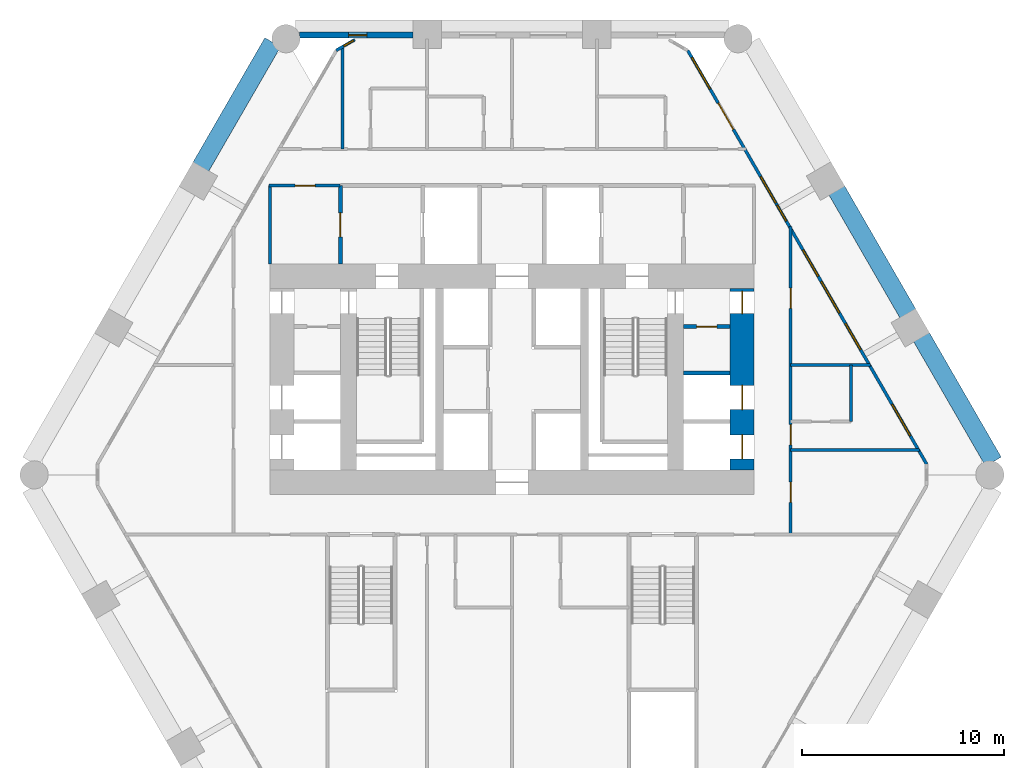
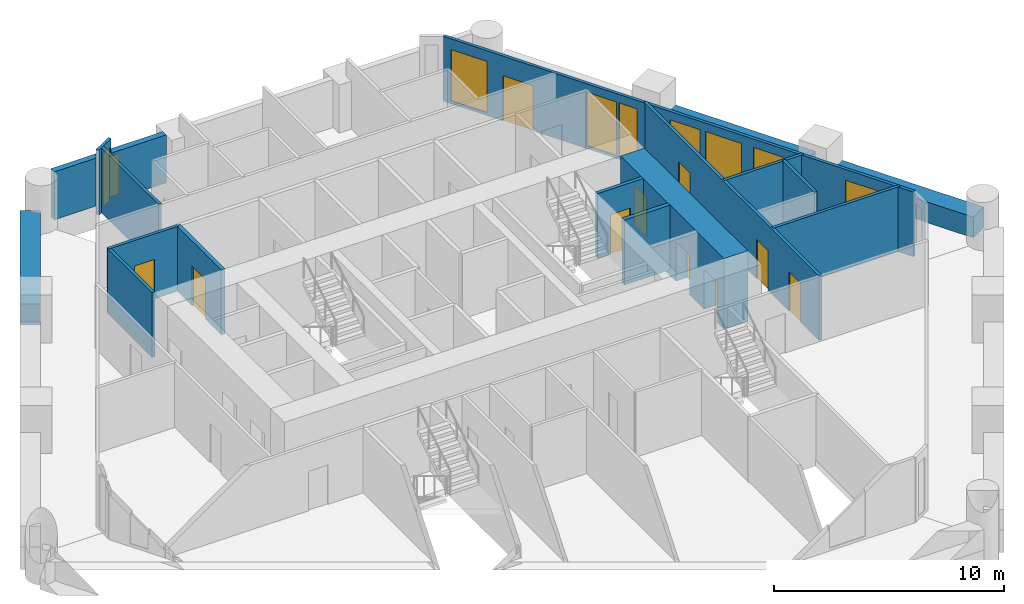
# One storey, part 5 of 8: 17 walls, 10 doors, 9 windows, 19 openings.
"""IFC4 building model written with IfcOpenShell, lengths in metres."""

from ifc_helpers import new_model, si_unit, direction, frame, frame_2d, origin, place, context, subcontext, project, spatial, rectangle, extrude, material, layer, layer_set, type_object, element, fill, save


model = new_model("IFC4")

# Units and contexts
model_context = context("Model", 3, precision=1e-05, world=origin(), true_north=direction((0.0, 1.0)))
body_context = subcontext(model_context, "Body", "Model", "MODEL_VIEW")
ifc_project = project(units=[si_unit("LENGTHUNIT", "METRE"), si_unit("AREAUNIT", "SQUARE_METRE"), si_unit("VOLUMEUNIT", "CUBIC_METRE"), si_unit("PLANEANGLEUNIT", "RADIAN"), si_unit("MASSUNIT", "GRAM", prefix="KILO")], contexts=[model_context])

# Site, building, storey
site_placement = place(None, origin())
site = spatial("IfcSite", under=ifc_project, at=site_placement, CompositionType="ELEMENT")
building_placement = place(site_placement, origin())
building = spatial("IfcBuilding", under=site, at=building_placement, Name="Ostrander Bayou Hotel Tower", CompositionType="ELEMENT")
storey_placement = place(building_placement, frame((0.0, 0.0, 61.75)))
storey = spatial("IfcBuildingStorey", under=building, at=storey_placement, Name="L15", CompositionType="ELEMENT", Elevation=61.75)

# Wall, openings, doors
ifc_material_1 = material(Name="Concrete f'c 70 MPa", Category="concrete")
ifc_layer_1 = layer(ifc_material_1, 1.199951171875)
ifc_layer_set_1 = layer_set([ifc_layer_1], Name="CW1 core wall 1200 mm f'c 70 MPa")
wall_type_1 = type_object("IfcWallType", Name="CW1 core wall 1200 mm f'c 70 MPa", PredefinedType="SHEAR", material=ifc_layer_set_1)
wall_1_placement = place(storey_placement, frame((11.39990234375, -0.5, -0.300048828125), z_axis=(0.0, 0.0, 1.0), x_axis=(0.0, 1.0, 0.0)))
wall_1 = element("IfcWall", 1, at=wall_1_placement, inside=storey, type_object=wall_type_1, Name="CW1 L15 RE", PredefinedType="SHEAR", context=body_context, shape_type="SweptSolid", body=[
    extrude(rectangle(XDim=9.0, YDim=1.199951171875, at=frame_2d((4.5, 0.0))), origin(), (0.0, 0.0, 1.0), 3.75),
])
opening_1_placement = place(wall_1_placement, frame((7.75, 0.0, 0.0)))
opening_1 = element("IfcOpeningElement", 2, at=opening_1_placement, cuts=wall_1, Name="Opening T15-020", PredefinedType="OPENING", context=body_context, shape_type="SweptSolid", body=[
    extrude(rectangle(XDim=1.10009765625, YDim=2.10009765625, at=frame_2d((0.550048828125, 1.050048828125))), frame((0.0, 0.60009765625, 0.0), z_axis=(0.0, -1.0, 0.0), x_axis=(1.0, 0.0, 0.0)), (0.0, 0.0, 1.0), 1.199951171875),
])
opening_2_placement = place(wall_1_placement, frame((0.550048828125, 0.0, 0.0)))
opening_2 = element("IfcOpeningElement", 3, at=opening_2_placement, cuts=wall_1, Name="Opening T15-021", PredefinedType="OPENING", context=body_context, shape_type="SweptSolid", body=[
    extrude(rectangle(XDim=1.199951171875, YDim=2.10009765625, at=frame_2d((0.60009765625, 1.050048828125))), frame((0.0, 0.60009765625, 0.0), z_axis=(0.0, -1.0, 0.0), x_axis=(1.0, 0.0, 0.0)), (0.0, 0.0, 1.0), 1.199951171875),
])
opening_3_placement = place(wall_1_placement, frame((3.0, 0.0, 0.0)))
opening_3 = element("IfcOpeningElement", 4, at=opening_3_placement, cuts=wall_1, Name="Opening T15-022", PredefinedType="OPENING", context=body_context, shape_type="SweptSolid", body=[
    extrude(rectangle(XDim=1.199951171875, YDim=2.10009765625, at=frame_2d((0.60009765625, 1.050048828125))), frame((0.0, 0.60009765625, 0.0), z_axis=(0.0, -1.0, 0.0), x_axis=(1.0, 0.0, 0.0)), (0.0, 0.0, 1.0), 1.199951171875),
])
ifc_material_2 = material(Name="Timber door leaf", Category="wood")
door_type_1 = type_object("IfcDoorType", Name="D5 stair door 1100 x 2100 mm, 90 minute", OperationType="SINGLE_SWING_LEFT", PredefinedType="DOOR", material=ifc_material_2)
door_1_placement = place(opening_1_placement, origin())
door_1 = element("IfcDoor", 5, at=door_1_placement, inside=storey, type_object=door_type_1, Name="dr:L15:020", OperationType="SINGLE_SWING_RIGHT", OverallHeight=2.10009765625, OverallWidth=1.10009765625, PredefinedType="DOOR", context=body_context, shape_type="SweptSolid", body=[
    extrude(rectangle(XDim=1.10009765625, YDim=2.10009765625, at=frame_2d((0.550048828125, 1.050048828125))), frame((0.0, 0.02490234375, 0.0), z_axis=(0.0, -1.0, 0.0), x_axis=(1.0, 0.0, 0.0)), (0.0, 0.0, 1.0), 0.050048828125),
])
fill(opening_1, door_1)
ifc_material_3 = material(Name="Stainless steel sliding door", Category="steel")
door_type_2 = type_object("IfcDoorType", Name="LD1 lift landing door 1200 x 2100 mm", OperationType="SINGLE_SWING_LEFT", PredefinedType="DOOR", material=ifc_material_3)
door_2_placement = place(opening_2_placement, origin())
door_2 = element("IfcDoor", 6, at=door_2_placement, inside=storey, type_object=door_type_2, Name="dr:L15:021", OperationType="SLIDING_TO_LEFT", OverallHeight=2.10009765625, OverallWidth=1.199951171875, PredefinedType="DOOR", context=body_context, shape_type="SweptSolid", body=[
    extrude(rectangle(XDim=1.199951171875, YDim=2.10009765625, at=frame_2d((0.60009765625, 1.050048828125))), frame((0.0, 0.02490234375, 0.0), z_axis=(0.0, -1.0, 0.0), x_axis=(1.0, 0.0, 0.0)), (0.0, 0.0, 1.0), 0.050048828125),
])
fill(opening_2, door_2)
door_3_placement = place(opening_3_placement, origin())
door_3 = element("IfcDoor", 7, at=door_3_placement, inside=storey, type_object=door_type_2, Name="dr:L15:022", OperationType="SLIDING_TO_LEFT", OverallHeight=2.10009765625, OverallWidth=1.199951171875, PredefinedType="DOOR", context=body_context, shape_type="SweptSolid", body=[
    extrude(rectangle(XDim=1.199951171875, YDim=2.10009765625, at=frame_2d((0.60009765625, 1.050048828125))), frame((0.0, 0.02490234375, 0.0), z_axis=(0.0, -1.0, 0.0), x_axis=(1.0, 0.0, 0.0)), (0.0, 0.0, 1.0), 0.050048828125),
])
fill(opening_3, door_3)

# Wall, openings, door, windows
ifc_material_4 = material(Name="Aluminium framed insulated wall", Category="aluminium")
ifc_layer_2 = layer(ifc_material_4, 0.14990234375)
ifc_layer_set_2 = layer_set([ifc_layer_2], Name="GW1 glass-line wall 150 mm")
wall_type_2 = type_object("IfcWallType", Name="GW1 glass-line wall 150 mm", PredefinedType="SOLIDWALL", material=ifc_layer_set_2)
wall_2_placement = place(storey_placement, frame((20.542724609375, -0.203857421875, 0.0), z_axis=(0.0, 0.0, 1.0), x_axis=(-0.500005515081, 0.866022219628, 0.0)))
wall_2 = element("IfcWall", 8, at=wall_2_placement, inside=storey, type_object=wall_type_2, Name="GW1 L15 NE 1", PredefinedType="SOLIDWALL", context=body_context, shape_type="SweptSolid", body=[
    extrude(rectangle(XDim=23.667236328125, YDim=0.14990234375, at=frame_2d((11.83349609375, 0.0))), origin(), (0.0, 0.0, 1.0), 3.449951171875),
])
opening_4_placement = place(wall_2_placement, frame((6.548095703125, 0.0, 0.14990234375)))
opening_4 = element("IfcOpeningElement", 9, at=opening_4_placement, cuts=wall_2, Name="Opening W11", PredefinedType="OPENING", context=body_context, shape_type="SweptSolid", body=[
    extrude(rectangle(XDim=1.5, YDim=2.85009765625, at=frame_2d((0.75, 1.425048828125))), frame((0.0, 0.074951171875, 0.0), z_axis=(0.0, -1.0, 0.0), x_axis=(1.0, 0.0, 0.0)), (0.0, 0.0, 1.0), 0.14990234375),
])
opening_5_placement = place(wall_2_placement, frame((8.64794921875, 0.0, 0.14990234375)))
opening_5 = element("IfcOpeningElement", 10, at=opening_5_placement, cuts=wall_2, Name="Opening W1", PredefinedType="OPENING", context=body_context, shape_type="SweptSolid", body=[
    extrude(rectangle(XDim=1.800048828125, YDim=2.85009765625, at=frame_2d((0.89990234375, 1.425048828125))), frame((0.0, 0.074951171875, 0.0), z_axis=(0.0, -1.0, 0.0), x_axis=(1.0, 0.0, 0.0)), (0.0, 0.0, 1.0), 0.14990234375),
])
opening_6_placement = place(wall_2_placement, frame((10.748046875, 0.0, 0.14990234375)))
opening_6 = element("IfcOpeningElement", 11, at=opening_6_placement, cuts=wall_2, Name="Opening W11", PredefinedType="OPENING", context=body_context, shape_type="SweptSolid", body=[
    extrude(rectangle(XDim=1.5, YDim=2.85009765625, at=frame_2d((0.75, 1.425048828125))), frame((0.0, 0.074951171875, 0.0), z_axis=(0.0, -1.0, 0.0), x_axis=(1.0, 0.0, 0.0)), (0.0, 0.0, 1.0), 0.14990234375),
])
opening_7_placement = place(wall_2_placement, frame((13.91357421875, 0.0, 0.14990234375)))
opening_7 = element("IfcOpeningElement", 12, at=opening_7_placement, cuts=wall_2, Name="Opening W15", PredefinedType="OPENING", context=body_context, shape_type="SweptSolid", body=[
    extrude(rectangle(XDim=0.89990234375, YDim=2.85009765625, at=frame_2d((0.449951171875, 1.425048828125))), frame((0.0, 0.074951171875, 0.0), z_axis=(0.0, -1.0, 0.0), x_axis=(1.0, 0.0, 0.0)), (0.0, 0.0, 1.0), 0.14990234375),
])
opening_8_placement = place(wall_2_placement, frame((14.947998046875, 0.0, 0.14990234375)))
opening_8 = element("IfcOpeningElement", 13, at=opening_8_placement, cuts=wall_2, Name="Opening W11", PredefinedType="OPENING", context=body_context, shape_type="SweptSolid", body=[
    extrude(rectangle(XDim=1.5, YDim=2.85009765625, at=frame_2d((0.75, 1.425048828125))), frame((0.0, 0.074951171875, 0.0), z_axis=(0.0, -1.0, 0.0), x_axis=(1.0, 0.0, 0.0)), (0.0, 0.0, 1.0), 0.14990234375),
])
opening_9_placement = place(wall_2_placement, frame((19.14794921875, 0.0, 0.0)))
opening_9 = element("IfcOpeningElement", 14, at=opening_9_placement, cuts=wall_2, Name="Opening T15-806", PredefinedType="OPENING", context=body_context, shape_type="SweptSolid", body=[
    extrude(rectangle(XDim=1.5, YDim=2.39990234375, at=frame_2d((0.75, 1.199951171875))), frame((0.0, 0.074951171875, 0.0), z_axis=(0.0, -1.0, 0.0), x_axis=(1.0, 0.0, 0.0)), (0.0, 0.0, 1.0), 0.14990234375),
])
opening_10_placement = place(wall_2_placement, frame((1.617431640625, 0.0, 0.14990234375)))
opening_10 = element("IfcOpeningElement", 15, at=opening_10_placement, cuts=wall_2, Name="Opening W1", PredefinedType="OPENING", context=body_context, shape_type="SweptSolid", body=[
    extrude(rectangle(XDim=1.800048828125, YDim=2.72998046875, at=frame_2d((0.89990234375, 1.364990234375))), frame((0.0, 0.074951171875, 0.0), z_axis=(0.0, -1.0, 0.0), x_axis=(1.0, 0.0, 0.0)), (0.0, 0.0, 1.0), 0.14990234375),
])
opening_11_placement = place(wall_2_placement, frame((21.45751953125, 0.0, 0.14990234375)))
opening_11 = element("IfcOpeningElement", 16, at=opening_11_placement, cuts=wall_2, Name="Opening W1", PredefinedType="OPENING", context=body_context, shape_type="SweptSolid", body=[
    extrude(rectangle(XDim=1.800048828125, YDim=2.72998046875, at=frame_2d((0.89990234375, 1.364990234375))), frame((0.0, 0.074951171875, 0.0), z_axis=(0.0, -1.0, 0.0), x_axis=(1.0, 0.0, 0.0)), (0.0, 0.0, 1.0), 0.14990234375),
])
ifc_material_5 = material(Name="Aluminium and clear glass", Category="aluminium")
door_type_3 = type_object("IfcDoorType", Name="SD1 sliding glass door 1500 mm, zone 1", OperationType="SLIDING_TO_LEFT", PredefinedType="DOOR", material=ifc_material_5)
door_4_placement = place(opening_9_placement, origin())
door_4 = element("IfcDoor", 17, at=door_4_placement, inside=storey, type_object=door_type_3, Name="SD1 L15 NE 5", OperationType="SLIDING_TO_LEFT", OverallHeight=2.39990234375, OverallWidth=1.5, PredefinedType="DOOR", context=body_context, shape_type="SweptSolid", body=[
    extrude(rectangle(XDim=1.5, YDim=2.39990234375, at=frame_2d((0.75, 1.199951171875))), frame((0.0, 0.02490234375, 0.0), z_axis=(0.0, -1.0, 0.0), x_axis=(1.0, 0.0, 0.0)), (0.0, 0.0, 1.0), 0.050048828125),
])
fill(opening_9, door_4)
ifc_material_6 = material(Name="Aluminium and clear glass", Category="aluminium")
window_type_1 = type_object("IfcWindowType", Name="W1 fixed window 1800 mm, zone 1", PartitioningType="SINGLE_PANEL", PredefinedType="WINDOW", material=ifc_material_6)
window_1_placement = place(opening_5_placement, origin())
window_1 = element("IfcWindow", 18, at=window_1_placement, inside=storey, type_object=window_type_1, Name="W1 L15 NE 3", OverallHeight=2.85009765625, OverallWidth=1.800048828125, PartitioningType="SINGLE_PANEL", PredefinedType="WINDOW", context=body_context, shape_type="SweptSolid", body=[
    extrude(rectangle(XDim=1.800048828125, YDim=2.85009765625, at=frame_2d((0.89990234375, 1.425048828125))), frame((0.0, 0.030029296875, 0.0), z_axis=(0.0, -1.0, 0.0), x_axis=(1.0, 0.0, 0.0)), (0.0, 0.0, 1.0), 0.06005859375),
])
fill(opening_5, window_1)
window_2_placement = place(opening_10_placement, origin())
window_2 = element("IfcWindow", 19, at=window_2_placement, inside=storey, type_object=window_type_1, Name="W1 L15 NE E12", OverallHeight=2.72998046875, OverallWidth=1.800048828125, PartitioningType="SINGLE_PANEL", PredefinedType="WINDOW", context=body_context, shape_type="SweptSolid", body=[
    extrude(rectangle(XDim=1.800048828125, YDim=2.72998046875, at=frame_2d((0.89990234375, 1.364990234375))), frame((0.0, 0.030029296875, 0.0), z_axis=(0.0, -1.0, 0.0), x_axis=(1.0, 0.0, 0.0)), (0.0, 0.0, 1.0), 0.06005859375),
])
fill(opening_10, window_2)
window_3_placement = place(opening_11_placement, origin())
window_3 = element("IfcWindow", 20, at=window_3_placement, inside=storey, type_object=window_type_1, Name="W1 L15 NE E21", OverallHeight=2.72998046875, OverallWidth=1.800048828125, PartitioningType="SINGLE_PANEL", PredefinedType="WINDOW", context=body_context, shape_type="SweptSolid", body=[
    extrude(rectangle(XDim=1.800048828125, YDim=2.72998046875, at=frame_2d((0.89990234375, 1.364990234375))), frame((0.0, 0.030029296875, 0.0), z_axis=(0.0, -1.0, 0.0), x_axis=(1.0, 0.0, 0.0)), (0.0, 0.0, 1.0), 0.06005859375),
])
fill(opening_11, window_3)
ifc_material_7 = material(Name="Aluminium and clear glass", Category="aluminium")
window_type_2 = type_object("IfcWindowType", Name="W11 fixed window 1500 mm, bath bay, zone 1", PartitioningType="SINGLE_PANEL", PredefinedType="WINDOW", material=ifc_material_7)
window_4_placement = place(opening_4_placement, origin())
window_4 = element("IfcWindow", 21, at=window_4_placement, inside=storey, type_object=window_type_2, Name="W11 L15 NE 2", OverallHeight=2.85009765625, OverallWidth=1.5, PartitioningType="SINGLE_PANEL", PredefinedType="WINDOW", context=body_context, shape_type="SweptSolid", body=[
    extrude(rectangle(XDim=1.5, YDim=2.85009765625, at=frame_2d((0.75, 1.425048828125))), frame((0.0, 0.030029296875, 0.0), z_axis=(0.0, -1.0, 0.0), x_axis=(1.0, 0.0, 0.0)), (0.0, 0.0, 1.0), 0.06005859375),
])
fill(opening_4, window_4)
window_5_placement = place(opening_6_placement, origin())
window_5 = element("IfcWindow", 22, at=window_5_placement, inside=storey, type_object=window_type_2, Name="W11 L15 NE 3", OverallHeight=2.85009765625, OverallWidth=1.5, PartitioningType="SINGLE_PANEL", PredefinedType="WINDOW", context=body_context, shape_type="SweptSolid", body=[
    extrude(rectangle(XDim=1.5, YDim=2.85009765625, at=frame_2d((0.75, 1.425048828125))), frame((0.0, 0.030029296875, 0.0), z_axis=(0.0, -1.0, 0.0), x_axis=(1.0, 0.0, 0.0)), (0.0, 0.0, 1.0), 0.06005859375),
])
fill(opening_6, window_5)
window_6_placement = place(opening_8_placement, origin())
window_6 = element("IfcWindow", 23, at=window_6_placement, inside=storey, type_object=window_type_2, Name="W11 L15 NE 4", OverallHeight=2.85009765625, OverallWidth=1.5, PartitioningType="SINGLE_PANEL", PredefinedType="WINDOW", context=body_context, shape_type="SweptSolid", body=[
    extrude(rectangle(XDim=1.5, YDim=2.85009765625, at=frame_2d((0.75, 1.425048828125))), frame((0.0, 0.030029296875, 0.0), z_axis=(0.0, -1.0, 0.0), x_axis=(1.0, 0.0, 0.0)), (0.0, 0.0, 1.0), 0.06005859375),
])
fill(opening_8, window_6)
ifc_material_8 = material(Name="Aluminium and clear glass", Category="aluminium")
window_type_3 = type_object("IfcWindowType", Name="W15 window 900 mm, zone 1", PartitioningType="SINGLE_PANEL", PredefinedType="WINDOW", material=ifc_material_8)
window_7_placement = place(opening_7_placement, origin())
window_7 = element("IfcWindow", 24, at=window_7_placement, inside=storey, type_object=window_type_3, Name="W15 L15 NE 4", OverallHeight=2.85009765625, OverallWidth=0.89990234375, PartitioningType="SINGLE_PANEL", PredefinedType="WINDOW", context=body_context, shape_type="SweptSolid", body=[
    extrude(rectangle(XDim=0.89990234375, YDim=2.85009765625, at=frame_2d((0.449951171875, 1.425048828125))), frame((0.0, 0.030029296875, 0.0), z_axis=(0.0, -1.0, 0.0), x_axis=(1.0, 0.0, 0.0)), (0.0, 0.0, 1.0), 0.06005859375),
])
fill(opening_7, window_7)

# Wall, opening, window
wall_3_placement = place(storey_placement, frame((-7.786865234375, 20.824951171875, 0.0), z_axis=(0.0, 0.0, 1.0), x_axis=(-0.865990848561, -0.500059846627, 0.0)))
wall_3 = element("IfcWall", 25, at=wall_3_placement, inside=storey, type_object=wall_type_2, Name="GW1 L15 corner 1", PredefinedType="SOLIDWALL", context=body_context, shape_type="SweptSolid", body=[
    extrude(rectangle(XDim=1.064697265625, YDim=0.14990234375, at=frame_2d((0.5322265625, 0.0))), origin(), (0.0, 0.0, 1.0), 3.449951171875),
])
opening_12_placement = place(wall_3_placement, frame((0.080078125, 0.0, 0.14990234375)))
opening_12 = element("IfcOpeningElement", 26, at=opening_12_placement, cuts=wall_3, Name="Opening W19", PredefinedType="OPENING", context=body_context, shape_type="SweptSolid", body=[
    extrude(rectangle(XDim=0.550048828125, YDim=2.85009765625, at=frame_2d((0.27490234375, 1.425048828125))), frame((0.0, 0.074951171875, 0.0), z_axis=(0.0, -1.0, 0.0), x_axis=(1.0, 0.0, 0.0)), (0.0, 0.0, 1.0), 0.14990234375),
])
ifc_material_9 = material(Name="Aluminium and clear glass", Category="aluminium")
window_type_4 = type_object("IfcWindowType", Name="W19 corner window 550 mm", PartitioningType="SINGLE_PANEL", PredefinedType="WINDOW", material=ifc_material_9)
window_8_placement = place(opening_12_placement, origin())
window_8 = element("IfcWindow", 27, at=window_8_placement, inside=storey, type_object=window_type_4, Name="W19 L15 corner 1", OverallHeight=2.85009765625, OverallWidth=0.550048828125, PartitioningType="SINGLE_PANEL", PredefinedType="WINDOW", context=body_context, shape_type="SweptSolid", body=[
    extrude(rectangle(XDim=0.550048828125, YDim=2.85009765625, at=frame_2d((0.27490234375, 1.425048828125))), frame((0.0, 0.030029296875, 0.0), z_axis=(0.0, -1.0, 0.0), x_axis=(1.0, 0.0, 0.0)), (0.0, 0.0, 1.0), 0.06005859375),
])
fill(opening_12, window_8)

ifc_material_10 = material(Name="Reconstituted stone on masonry backing", Category="masonry")
ifc_layer_3 = layer(ifc_material_10, 0.300048828125)
ifc_layer_set_3 = layer_set([ifc_layer_3], Name="NW1 north stone wall 300 mm")
wall_type_3 = type_object("IfcWallType", Name="NW1 north stone wall 300 mm", PredefinedType="SOLIDWALL", material=ifc_layer_set_3)
wall_4_placement = place(storey_placement, frame((-4.8955078125, 21.050048828125, 0.0), z_axis=(0.0, 0.0, 1.0), x_axis=(-1.0, 0.0, 0.0)))
wall_4 = element("IfcWall", 28, at=wall_4_placement, inside=storey, type_object=wall_type_3, Name="NW1 L15 N-3", PredefinedType="SOLIDWALL", context=body_context, shape_type="SweptSolid", body=[
    extrude(rectangle(XDim=5.630615234375, YDim=0.300048828125, at=frame_2d((2.8154296875, 0.0))), origin(), (0.0, 0.0, 1.0), 2.550048828125),
])
opening_13_placement = place(wall_4_placement, frame((2.300048828125, 0.0, 0.14990234375)))
opening_13 = element("IfcOpeningElement", 29, at=opening_13_placement, cuts=wall_4, Name="Opening W15", PredefinedType="OPENING", context=body_context, shape_type="SweptSolid", body=[
    extrude(rectangle(XDim=0.89990234375, YDim=2.14990234375, at=frame_2d((0.449951171875, 1.074951171875))), frame((0.0, 0.14990234375, 0.0), z_axis=(0.0, -1.0, 0.0), x_axis=(1.0, 0.0, 0.0)), (0.0, 0.0, 1.0), 0.300048828125),
])
window_9_placement = place(opening_13_placement, origin())
window_9 = element("IfcWindow", 30, at=window_9_placement, inside=storey, type_object=window_type_3, Name="W15 L15 north N-3", OverallHeight=2.14990234375, OverallWidth=0.89990234375, PartitioningType="SINGLE_PANEL", PredefinedType="WINDOW", context=body_context, shape_type="SweptSolid", body=[
    extrude(rectangle(XDim=0.89990234375, YDim=2.14990234375, at=frame_2d((0.449951171875, 1.074951171875))), frame((0.0, 0.030029296875, 0.0), z_axis=(0.0, -1.0, 0.0), x_axis=(1.0, 0.0, 0.0)), (0.0, 0.0, 1.0), 0.06005859375),
])
fill(opening_13, window_9)

# Walls
ifc_material_11 = material(Name="Concrete f'c 40 MPa", Category="concrete")
ifc_layer_4 = layer(ifc_material_11, 0.89990234375)
ifc_layer_set_4 = layer_set([ifc_layer_4], Name="PA1 stone-faced parapet 900 mm")
wall_type_4 = type_object("IfcWallType", Name="PA1 stone-faced parapet 900 mm", PredefinedType="PARAPET", material=ifc_layer_set_4)
wall_5_placement = place(storey_placement, frame((-11.854736328125, 20.694091796875, 0.0), z_axis=(0.0, 0.0, 1.0), x_axis=(-0.500013966327, -0.866017340172, 0.0)))
element("IfcWall", 31, at=wall_5_placement, inside=storey, type_object=wall_type_4, Name="PA1 L15 NW-1", PredefinedType="PARAPET", context=body_context, shape_type="SweptSolid", body=[
    extrude(rectangle(XDim=7.128662109375, YDim=0.89990234375, at=frame_2d((3.564453125, 0.0))), origin(), (0.0, 0.0, 1.0), 1.10009765625),
])
wall_6_placement = place(storey_placement, frame((23.84912109375, -0.08056640625, 0.0), z_axis=(0.0, 0.0, 1.0), x_axis=(-0.499999136801, 0.866025902152, 0.0)))
element("IfcWall", 32, at=wall_6_placement, inside=storey, type_object=wall_type_4, Name="PA1 L15 NE-1", PredefinedType="PARAPET", context=body_context, shape_type="SweptSolid", body=[
    extrude(rectangle(XDim=7.12890625, YDim=0.89990234375, at=frame_2d((3.564453125, 0.0))), origin(), (0.0, 0.0, 1.0), 1.10009765625),
])
wall_7_placement = place(storey_placement, frame((19.614501953125, 7.253662109375, 0.0), z_axis=(0.0, 0.0, 1.0), x_axis=(-0.499997206141, 0.866027016814, 0.0)))
element("IfcWall", 33, at=wall_7_placement, inside=storey, type_object=wall_type_4, Name="PA1 L15 NE-2", PredefinedType="PARAPET", context=body_context, shape_type="SweptSolid", body=[
    extrude(rectangle(XDim=7.05078125, YDim=0.89990234375, at=frame_2d((3.525390625, 0.0))), origin(), (0.0, 0.0, 1.0), 1.10009765625),
])

# Wall, opening, door
ifc_material_12 = material(Name="Gypsum board partition", Category="finish")
ifc_layer_5 = layer(ifc_material_12, 0.175048828125)
ifc_layer_set_5 = layer_set([ifc_layer_5], Name="PT4 corridor wall 175 mm, 1 hour")
wall_type_5 = type_object("IfcWallType", Name="PT4 corridor wall 175 mm, 1 hour", PredefinedType="PARTITIONING", material=ifc_layer_set_5)
wall_8_placement = place(storey_placement, frame((8.5, 6.614013671875, 0.0), z_axis=(0.0, 0.0, 1.0), x_axis=(1.0, 0.0, 0.0)))
wall_8 = element("IfcWall", 34, at=wall_8_placement, inside=storey, type_object=wall_type_5, Name="cs:L15:038", PredefinedType="PARTITIONING", context=body_context, shape_type="SweptSolid", body=[
    extrude(rectangle(XDim=2.300048828125, YDim=0.175048828125, at=frame_2d((1.14990234375, 0.0))), origin(), (0.0, 0.0, 1.0), 3.449951171875),
])
opening_14_placement = place(wall_8_placement, frame((0.64990234375, 0.0, 0.0)))
opening_14 = element("IfcOpeningElement", 35, at=opening_14_placement, cuts=wall_8, Name="Opening T15-019", PredefinedType="OPENING", context=body_context, shape_type="SweptSolid", body=[
    extrude(rectangle(XDim=1.0, YDim=2.10009765625, at=frame_2d((0.5, 1.050048828125))), frame((0.0, 0.08740234375, 0.0), z_axis=(0.0, -1.0, 0.0), x_axis=(1.0, 0.0, 0.0)), (0.0, 0.0, 1.0), 0.175048828125),
])
ifc_material_13 = material(Name="Timber door leaf", Category="wood")
door_type_4 = type_object("IfcDoorType", Name="D4 corridor door 1000 x 2100 mm, 1 hour", OperationType="SINGLE_SWING_LEFT", PredefinedType="DOOR", material=ifc_material_13)
door_5_placement = place(opening_14_placement, origin())
door_5 = element("IfcDoor", 36, at=door_5_placement, inside=storey, type_object=door_type_4, Name="dr:L15:019", OperationType="SINGLE_SWING_RIGHT", OverallHeight=2.10009765625, OverallWidth=1.0, PredefinedType="DOOR", context=body_context, shape_type="SweptSolid", body=[
    extrude(rectangle(XDim=1.0, YDim=2.10009765625, at=frame_2d((0.5, 1.050048828125))), frame((0.0, 0.02490234375, 0.0), z_axis=(0.0, -1.0, 0.0), x_axis=(1.0, 0.0, 0.0)), (0.0, 0.0, 1.0), 0.050048828125),
])
fill(opening_14, door_5)

ifc_material_14 = material(Name="Masonry block", Category="masonry")
ifc_layer_6 = layer(ifc_material_14, 0.199951171875)
ifc_layer_set_6 = layer_set([ifc_layer_6], Name="PT5 stair enclosure wall 200 mm masonry, 2 hour")
wall_type_6 = type_object("IfcWallType", Name="PT5 stair enclosure wall 200 mm masonry, 2 hour", PredefinedType="PARTITIONING", material=ifc_layer_set_6)
wall_9_placement = place(storey_placement, frame((-8.5, 9.699951171875, 0.0), z_axis=(0.0, 0.0, 1.0), x_axis=(0.0, 1.0, 0.0)))
wall_9 = element("IfcWall", 37, at=wall_9_placement, inside=storey, type_object=wall_type_6, Name="cs:L15:026", PredefinedType="PARTITIONING", context=body_context, shape_type="SweptSolid", body=[
    extrude(rectangle(XDim=3.900146484375, YDim=0.199951171875, at=frame_2d((1.9501953125, 0.0))), origin(), (0.0, 0.0, 1.0), 3.449951171875),
])
opening_15_placement = place(wall_9_placement, frame((1.35009765625, 0.0, 0.0)))
opening_15 = element("IfcOpeningElement", 38, at=opening_15_placement, cuts=wall_9, Name="Opening T15-010", PredefinedType="OPENING", context=body_context, shape_type="SweptSolid", body=[
    extrude(rectangle(XDim=1.199951171875, YDim=2.10009765625, at=frame_2d((0.60009765625, 1.050048828125))), frame((0.0, 0.10009765625, 0.0), z_axis=(0.0, -1.0, 0.0), x_axis=(1.0, 0.0, 0.0)), (0.0, 0.0, 1.0), 0.199951171875),
])
ifc_material_15 = material(Name="Timber door leaf", Category="wood")
door_type_5 = type_object("IfcDoorType", Name="D7 lobby door 1200 x 2100 mm, 1 hour", OperationType="SINGLE_SWING_LEFT", PredefinedType="DOOR", material=ifc_material_15)
door_6_placement = place(opening_15_placement, origin())
door_6 = element("IfcDoor", 39, at=door_6_placement, inside=storey, type_object=door_type_5, Name="dr:L15:010", OperationType="SINGLE_SWING_LEFT", OverallHeight=2.10009765625, OverallWidth=1.199951171875, PredefinedType="DOOR", context=body_context, shape_type="SweptSolid", body=[
    extrude(rectangle(XDim=1.199951171875, YDim=2.10009765625, at=frame_2d((0.60009765625, 1.050048828125))), frame((0.0, 0.02490234375, 0.0), z_axis=(0.0, -1.0, 0.0), x_axis=(1.0, 0.0, 0.0)), (0.0, 0.0, 1.0), 0.050048828125),
])
fill(opening_15, door_6)

# Walls
ifc_material_16 = material(Name="Masonry block", Category="masonry")
ifc_layer_7 = layer(ifc_material_16, 0.199951171875)
ifc_layer_set_7 = layer_set([ifc_layer_7], Name="PT6 lift shaft wall 200 mm masonry, 2 hour")
wall_type_7 = type_object("IfcWallType", Name="PT6 lift shaft wall 200 mm masonry, 2 hour", PredefinedType="PARTITIONING", material=ifc_layer_set_7)
wall_10_placement = place(storey_placement, frame((8.5, 4.300048828125, 0.0), z_axis=(0.0, 0.0, 1.0), x_axis=(1.0, 0.0, 0.0)))
element("IfcWall", 40, at=wall_10_placement, inside=storey, type_object=wall_type_7, Name="cs:L15:037", PredefinedType="PARTITIONING", context=body_context, shape_type="SweptSolid", body=[
    extrude(rectangle(XDim=2.300048828125, YDim=0.199951171875, at=frame_2d((1.14990234375, 0.0))), origin(), (0.0, 0.0, 1.0), 3.449951171875),
])
ifc_material_17 = material(Name="Gypsum board partition", Category="finish")
ifc_layer_8 = layer(ifc_material_17, 0.14990234375)
ifc_layer_set_8 = layer_set([ifc_layer_8], Name="PT8 service band wall 150 mm, 1 hour")
wall_type_8 = type_object("IfcWallType", Name="PT8 service band wall 150 mm, 1 hour", PredefinedType="PARTITIONING", material=ifc_layer_set_8)
wall_11_placement = place(storey_placement, frame((13.800048828125, 0.5, 0.0), z_axis=(0.0, 0.0, 1.0), x_axis=(1.0, 0.0, 0.0)))
element("IfcWall", 41, at=wall_11_placement, inside=storey, type_object=wall_type_8, Name="gw:L15:006", PredefinedType="PARTITIONING", context=body_context, shape_type="SweptSolid", body=[
    extrude(rectangle(XDim=6.387939453125, YDim=0.14990234375, at=frame_2d((3.19384765625, 0.0))), origin(), (0.0, 0.0, 1.0), 3.449951171875),
])
wall_12_placement = place(storey_placement, frame((13.800048828125, 4.699951171875, 0.0), z_axis=(0.0, 0.0, 1.0), x_axis=(1.0, 0.0, 0.0)))
element("IfcWall", 42, at=wall_12_placement, inside=storey, type_object=wall_type_8, Name="gw:L15:009", PredefinedType="PARTITIONING", context=body_context, shape_type="SweptSolid", body=[
    extrude(rectangle(XDim=3.962890625, YDim=0.14990234375, at=frame_2d((1.9814453125, 0.0))), origin(), (0.0, 0.0, 1.0), 3.449951171875),
])

# Wall, opening, door
wall_13_placement = place(storey_placement, frame((-12.0400390625, 13.60009765625, 0.0), z_axis=(0.0, 0.0, 1.0), x_axis=(1.0, 0.0, 0.0)))
wall_13 = element("IfcWall", 43, at=wall_13_placement, inside=storey, type_object=wall_type_8, Name="gw:L15:010", PredefinedType="PARTITIONING", context=body_context, shape_type="SweptSolid", body=[
    extrude(rectangle(XDim=3.530029296875, YDim=0.14990234375, at=frame_2d((1.76513671875, 0.0))), origin(), (0.0, 0.0, 1.0), 3.449951171875),
])
opening_16_placement = place(wall_13_placement, frame((1.2900390625, 0.0, 0.0)))
opening_16 = element("IfcOpeningElement", 44, at=opening_16_placement, cuts=wall_13, Name="Opening T15-421", PredefinedType="OPENING", context=body_context, shape_type="SweptSolid", body=[
    extrude(rectangle(XDim=1.0, YDim=2.10009765625, at=frame_2d((0.5, 1.050048828125))), frame((0.0, 0.074951171875, 0.0), z_axis=(0.0, -1.0, 0.0), x_axis=(1.0, 0.0, 0.0)), (0.0, 0.0, 1.0), 0.14990234375),
])
ifc_material_18 = material(Name="Timber door leaf", Category="wood")
door_type_6 = type_object("IfcDoorType", Name="D9 service door 1000 x 2100 mm, 30 minute", OperationType="SINGLE_SWING_LEFT", PredefinedType="DOOR", material=ifc_material_18)
door_7_placement = place(opening_16_placement, origin())
door_7 = element("IfcDoor", 45, at=door_7_placement, inside=storey, type_object=door_type_6, Name="dr:L15:421", OperationType="SINGLE_SWING_RIGHT", OverallHeight=2.10009765625, OverallWidth=1.0, PredefinedType="DOOR", context=body_context, shape_type="SweptSolid", body=[
    extrude(rectangle(XDim=1.0, YDim=2.10009765625, at=frame_2d((0.5, 1.050048828125))), frame((0.0, 0.02490234375, 0.0), z_axis=(0.0, -1.0, 0.0), x_axis=(1.0, 0.0, 0.0)), (0.0, 0.0, 1.0), 0.050048828125),
])
fill(opening_16, door_7)

# Wall
wall_14_placement = place(storey_placement, frame((16.800048828125, 1.89990234375, 0.0), z_axis=(0.0, 0.0, 1.0), x_axis=(0.0, 1.0, 0.0)))
element("IfcWall", 46, at=wall_14_placement, inside=storey, type_object=wall_type_8, Name="gw:L15:016", PredefinedType="PARTITIONING", context=body_context, shape_type="SweptSolid", body=[
    extrude(rectangle(XDim=2.800048828125, YDim=0.14990234375, at=frame_2d((1.39990234375, 0.0))), origin(), (0.0, 0.0, 1.0), 3.449951171875),
])

# Wall, openings, doors
wall_15_placement = place(storey_placement, frame((13.800048828125, -3.699951171875, 0.0), z_axis=(0.0, 0.0, 1.0), x_axis=(0.0, 1.0, 0.0)))
wall_15 = element("IfcWall", 47, at=wall_15_placement, inside=storey, type_object=wall_type_8, Name="gw:L15:017", PredefinedType="PARTITIONING", context=body_context, shape_type="SweptSolid", body=[
    extrude(rectangle(XDim=15.264892578125, YDim=0.14990234375, at=frame_2d((7.63232421875, 0.0))), origin(), (0.0, 0.0, 1.0), 3.449951171875),
])
opening_17_placement = place(wall_15_placement, frame((1.60009765625, 0.0, 0.0)))
opening_17 = element("IfcOpeningElement", 48, at=opening_17_placement, cuts=wall_15, Name="Opening T15-409", PredefinedType="OPENING", context=body_context, shape_type="SweptSolid", body=[
    extrude(rectangle(XDim=1.0, YDim=2.10009765625, at=frame_2d((0.5, 1.050048828125))), frame((0.0, 0.074951171875, 0.0), z_axis=(0.0, -1.0, 0.0), x_axis=(1.0, 0.0, 0.0)), (0.0, 0.0, 1.0), 0.14990234375),
])
opening_18_placement = place(wall_15_placement, frame((4.449951171875, 0.0, 0.0)))
opening_18 = element("IfcOpeningElement", 49, at=opening_18_placement, cuts=wall_15, Name="Opening T15-410", PredefinedType="OPENING", context=body_context, shape_type="SweptSolid", body=[
    extrude(rectangle(XDim=1.0, YDim=2.10009765625, at=frame_2d((0.5, 1.050048828125))), frame((0.0, 0.074951171875, 0.0), z_axis=(0.0, -1.0, 0.0), x_axis=(1.0, 0.0, 0.0)), (0.0, 0.0, 1.0), 0.14990234375),
])
opening_19_placement = place(wall_15_placement, frame((11.2119140625, 0.0, 0.0)))
opening_19 = element("IfcOpeningElement", 50, at=opening_19_placement, cuts=wall_15, Name="Opening T15-412", PredefinedType="OPENING", context=body_context, shape_type="SweptSolid", body=[
    extrude(rectangle(XDim=1.0, YDim=2.10009765625, at=frame_2d((0.5, 1.050048828125))), frame((0.0, 0.074951171875, 0.0), z_axis=(0.0, -1.0, 0.0), x_axis=(1.0, 0.0, 0.0)), (0.0, 0.0, 1.0), 0.14990234375),
])
ifc_material_19 = material(Name="Timber door leaf", Category="wood")
door_type_7 = type_object("IfcDoorType", Name="D1 guest room door 1000 x 2100 mm, 30 minute", OperationType="SINGLE_SWING_LEFT", PredefinedType="DOOR", material=ifc_material_19)
door_8_placement = place(opening_18_placement, origin())
door_8 = element("IfcDoor", 51, at=door_8_placement, inside=storey, type_object=door_type_7, Name="dr:L15:410", OperationType="SINGLE_SWING_LEFT", OverallHeight=2.10009765625, OverallWidth=1.0, PredefinedType="DOOR", context=body_context, shape_type="SweptSolid", body=[
    extrude(rectangle(XDim=1.0, YDim=2.10009765625, at=frame_2d((0.5, 1.050048828125))), frame((0.0, 0.02490234375, 0.0), z_axis=(0.0, -1.0, 0.0), x_axis=(1.0, 0.0, 0.0)), (0.0, 0.0, 1.0), 0.050048828125),
])
fill(opening_18, door_8)
ifc_material_20 = material(Name="Timber door leaf", Category="wood")
door_type_8 = type_object("IfcDoorType", Name="D15 room door 1000 x 2100 mm", OperationType="SINGLE_SWING_LEFT", PredefinedType="DOOR", material=ifc_material_20)
door_9_placement = place(opening_17_placement, origin())
door_9 = element("IfcDoor", 52, at=door_9_placement, inside=storey, type_object=door_type_8, Name="dr:L15:409", OperationType="SINGLE_SWING_LEFT", OverallHeight=2.10009765625, OverallWidth=1.0, PredefinedType="DOOR", context=body_context, shape_type="SweptSolid", body=[
    extrude(rectangle(XDim=1.0, YDim=2.10009765625, at=frame_2d((0.5, 1.050048828125))), frame((0.0, 0.02490234375, 0.0), z_axis=(0.0, -1.0, 0.0), x_axis=(1.0, 0.0, 0.0)), (0.0, 0.0, 1.0), 0.050048828125),
])
fill(opening_17, door_9)
door_10_placement = place(opening_19_placement, origin())
door_10 = element("IfcDoor", 53, at=door_10_placement, inside=storey, type_object=door_type_6, Name="dr:L15:412", OperationType="SINGLE_SWING_LEFT", OverallHeight=2.10009765625, OverallWidth=1.0, PredefinedType="DOOR", context=body_context, shape_type="SweptSolid", body=[
    extrude(rectangle(XDim=1.0, YDim=2.10009765625, at=frame_2d((0.5, 1.050048828125))), frame((0.0, 0.02490234375, 0.0), z_axis=(0.0, -1.0, 0.0), x_axis=(1.0, 0.0, 0.0)), (0.0, 0.0, 1.0), 0.050048828125),
])
fill(opening_19, door_10)

# Walls
wall_16_placement = place(storey_placement, frame((-8.39990234375, 15.39990234375, 0.0), z_axis=(0.0, 0.0, 1.0), x_axis=(0.0, 1.0, 0.0)))
element("IfcWall", 54, at=wall_16_placement, inside=storey, type_object=wall_type_8, Name="gw:L15:031", PredefinedType="PARTITIONING", context=body_context, shape_type="SweptSolid", body=[
    extrude(rectangle(XDim=5.091064453125, YDim=0.14990234375, at=frame_2d((2.54541015625, 0.0))), origin(), (0.0, 0.0, 1.0), 3.449951171875),
])
wall_17_placement = place(storey_placement, frame((-12.0, 9.7099609375, 0.0), z_axis=(0.0, 0.0, 1.0), x_axis=(0.0, 1.0, 0.0)))
element("IfcWall", 55, at=wall_17_placement, inside=storey, type_object=wall_type_8, Name="gw:L15:033", PredefinedType="PARTITIONING", context=body_context, shape_type="SweptSolid", body=[
    extrude(rectangle(XDim=3.89013671875, YDim=0.14990234375, at=frame_2d((1.945068359375, 0.0))), origin(), (0.0, 0.0, 1.0), 3.449951171875),
])

save(model, "model.ifc")
